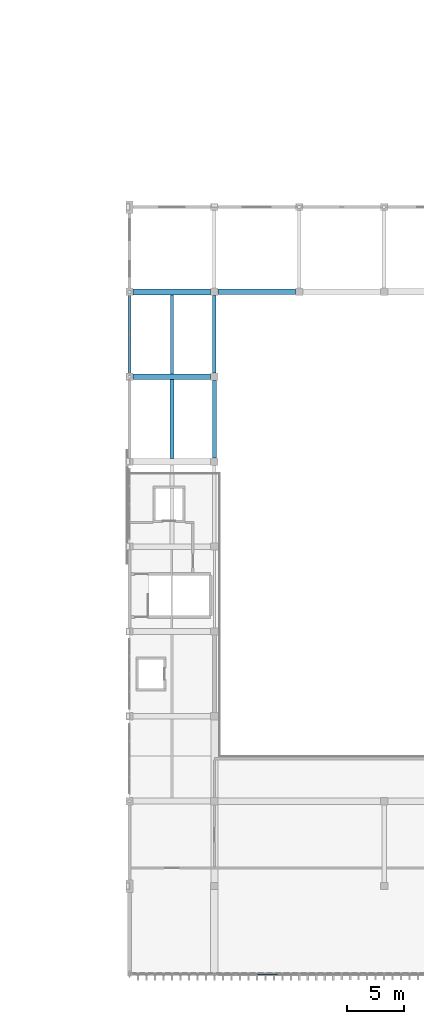
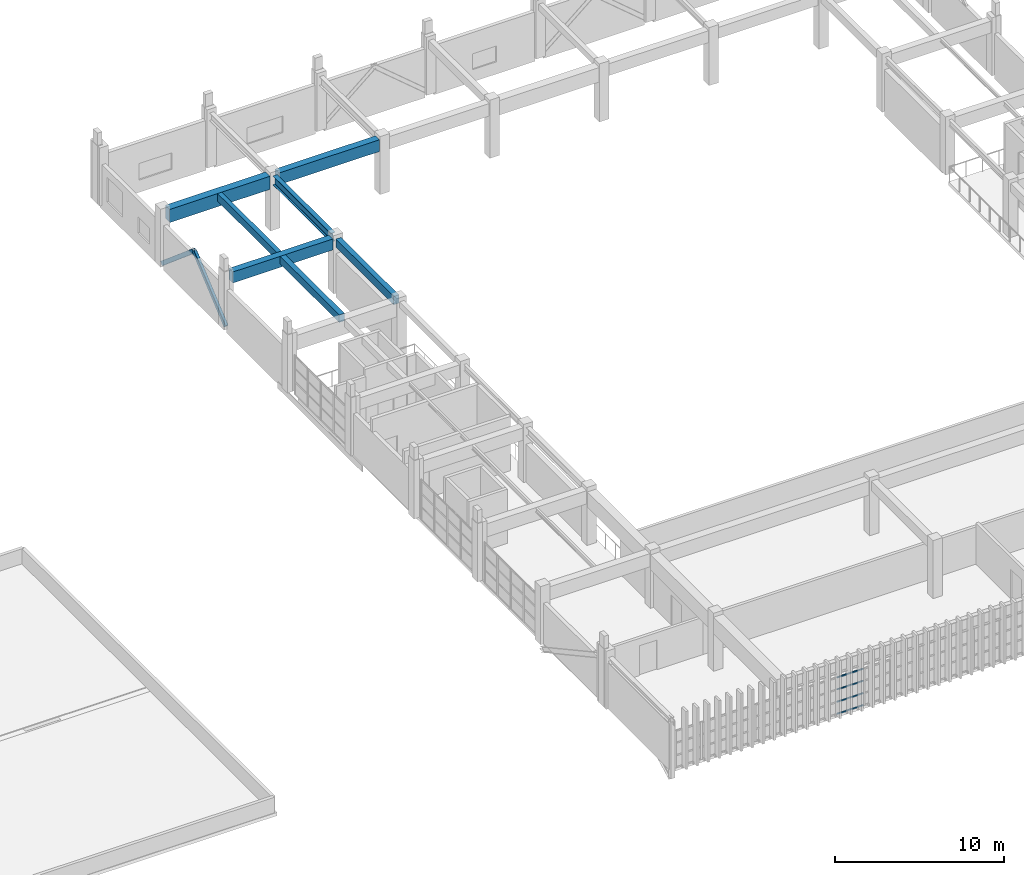
# One storey, part 9 of 51: 7 beams, 6 members, 1 element without a shape of its own.
"""IFC4 building model written with IfcOpenShell, lengths in metres."""

from ifc_helpers import new_model, si_unit, direction, frame, origin, origin_2d, place, context, subcontext, project, spatial, rectangle, hollow_rectangle, i_section, extrude, material, material_profile, profile_set, type_object, element, aggregate, save


model = new_model("IFC4")

# Units and contexts
model_context = context("Model", 3, precision=1e-05, world=origin(), true_north=direction((0.0, 1.0)))
body_context = subcontext(model_context, "Body", "Model", "MODEL_VIEW")
ifc_project = project(units=[si_unit("LENGTHUNIT", "METRE"), si_unit("AREAUNIT", "SQUARE_METRE"), si_unit("VOLUMEUNIT", "CUBIC_METRE"), si_unit("PLANEANGLEUNIT", "RADIAN"), si_unit("MASSUNIT", "GRAM", prefix="KILO")], contexts=[model_context])

# Site, building, storey
site_placement = place(None, origin())
site = spatial("IfcSite", under=ifc_project, at=site_placement, CompositionType="ELEMENT")
building_placement = place(site_placement, origin())
building = spatial("IfcBuilding", under=site, at=building_placement, Name="Qasida Concert Hall", CompositionType="ELEMENT")
storey_placement = place(building_placement, frame((0.0, 0.0, 21.0)))
storey = spatial("IfcBuildingStorey", under=building, at=storey_placement, Name="L05", CompositionType="ELEMENT", Elevation=21.0)

# Beams
ifc_material_1 = material(Name="Steel S355J2", Category="steel")
ifc_material_profile_1 = material_profile(ifc_material_1, i_section(OverallWidth=0.300048828125, OverallDepth=0.64990234375, WebThickness=0.01611328125, FlangeThickness=0.031005859375, FilletRadius=0.027099609375, at=origin_2d()), Name="HEB 650")
ifc_profile_set_1 = profile_set([ifc_material_profile_1], Name="Steel S355J2")
beam_type_1 = type_object("IfcBeamType", Name="BM-B13", PredefinedType="BEAM", material=ifc_profile_set_1)
beam_1_placement = place(storey_placement, frame((60.0, 67.824951171875, 3.594970703125), z_axis=(0.0, 1.0, 0.0), x_axis=(-1.0, 0.0, 0.0)))
element("IfcBeam", 1, at=beam_1_placement, inside=storey, type_object=beam_type_1, Name="L05 girder 2013", PredefinedType="BEAM", context=body_context, shape_type="SweptSolid", body=[
    extrude(i_section(OverallWidth=0.300048828125, OverallDepth=0.64990234375, WebThickness=0.01611328125, FlangeThickness=0.031005859375, FilletRadius=0.027099609375, at=origin_2d()), origin(), (0.0, 0.0, 1.0), 6.85009765625),
])
ifc_material_2 = material(Name="Concrete C40/50", Category="concrete")
ifc_material_profile_2 = material_profile(ifc_material_2, rectangle(XDim=0.35009765625, YDim=0.60009765625, at=origin_2d()), Name="RC 350x600")
ifc_profile_set_2 = profile_set([ifc_material_profile_2], Name="Concrete C40/50")
beam_type_2 = type_object("IfcBeamType", Name="BM-B2", PredefinedType="BEAM", material=ifc_profile_set_2)
beam_2_placement = place(storey_placement, frame((60.0, 60.324951171875, 3.6201171875), z_axis=(0.0, 1.0, 0.0), x_axis=(-1.0, 0.0, 0.0)))
element("IfcBeam", 2, at=beam_2_placement, inside=storey, type_object=beam_type_2, Name="L05 girder 2012", PredefinedType="BEAM", context=body_context, shape_type="SweptSolid", body=[
    extrude(rectangle(XDim=0.35009765625, YDim=0.60009765625, at=origin_2d()), origin(), (0.0, 0.0, 1.0), 6.85009765625),
])
ifc_material_profile_3 = material_profile(ifc_material_2, rectangle(XDim=0.449951171875, YDim=0.800048828125, at=origin_2d()), Name="RC 450x800")
ifc_profile_set_3 = profile_set([ifc_material_profile_3], Name="Concrete C40/50")
beam_type_3 = type_object("IfcBeamType", Name="BM-G2", PredefinedType="USERDEFINED", material=ifc_profile_set_3)
beam_3_placement = place(storey_placement, frame((52.824951171875, 67.5, 3.52001953125), z_axis=(1.0, 0.0, 0.0), x_axis=(0.0, 1.0, 0.0)))
element("IfcBeam", 3, at=beam_3_placement, inside=storey, type_object=beam_type_3, Name="Primary girder 2000", ObjectType="GIRDER", PredefinedType="USERDEFINED", context=body_context, shape_type="SweptSolid", body=[
    extrude(rectangle(XDim=0.449951171875, YDim=0.800048828125, at=origin_2d()), origin(), (0.0, 0.0, 1.0), 6.85009765625),
])
ifc_material_profile_4 = material_profile(ifc_material_2, rectangle(XDim=0.47998046875, YDim=0.85009765625, at=origin_2d()), Name="RC 480x850")
ifc_profile_set_4 = profile_set([ifc_material_profile_4], Name="Concrete C40/50")
beam_type_4 = type_object("IfcBeamType", Name="BM-G6", PredefinedType="USERDEFINED", material=ifc_profile_set_4)
beam_4_placement = place(storey_placement, frame((60.324951171875, 75.0, 3.4951171875), z_axis=(1.0, 0.0, 0.0), x_axis=(0.0, 1.0, 0.0)))
element("IfcBeam", 4, at=beam_4_placement, inside=storey, type_object=beam_type_4, Name="Primary girder 2003", ObjectType="GIRDER", PredefinedType="USERDEFINED", context=body_context, shape_type="SweptSolid", body=[
    extrude(rectangle(XDim=0.47998046875, YDim=0.85009765625, at=origin_2d()), origin(), (0.0, 0.0, 1.0), 6.85009765625),
])
ifc_material_profile_5 = material_profile(ifc_material_2, rectangle(XDim=0.52001953125, YDim=0.949951171875, at=origin_2d()), Name="RC 520x950")
ifc_profile_set_5 = profile_set([ifc_material_profile_5], Name="Concrete C40/50")
beam_type_5 = type_object("IfcBeamType", Name="BM-G7", PredefinedType="USERDEFINED", material=ifc_profile_set_5)
beam_5_placement = place(storey_placement, frame((52.824951171875, 75.0, 3.445068359375), z_axis=(1.0, 0.0, 0.0), x_axis=(0.0, 1.0, 0.0)))
element("IfcBeam", 5, at=beam_5_placement, inside=storey, type_object=beam_type_5, Name="Primary girder 2002", ObjectType="GIRDER", PredefinedType="USERDEFINED", context=body_context, shape_type="SweptSolid", body=[
    extrude(rectangle(XDim=0.52001953125, YDim=0.949951171875, at=origin_2d()), origin(), (0.0, 0.0, 1.0), 6.85009765625),
])
ifc_material_profile_6 = material_profile(ifc_material_2, rectangle(XDim=0.300048828125, YDim=0.550048828125, at=origin_2d()), Name="RC 300x550")
ifc_profile_set_6 = profile_set([ifc_material_profile_6], Name="Concrete C40/50")
beam_type_6 = type_object("IfcBeamType", Name="BM-J1", PredefinedType="JOIST", material=ifc_profile_set_6)
beam_6_placement = place(storey_placement, frame((56.25, 67.72509765625, 3.64501953125), z_axis=(0.0, 1.0, 0.0), x_axis=(-1.0, 0.0, 0.0)))
element("IfcBeam", 6, at=beam_6_placement, inside=storey, type_object=beam_type_6, Name="L05 secondary joist 2032", PredefinedType="JOIST", context=body_context, shape_type="SweptSolid", body=[
    extrude(rectangle(XDim=0.300048828125, YDim=0.550048828125, at=origin_2d()), origin(), (0.0, 0.0, 1.0), 7.014892578125),
])
ifc_material_profile_7 = material_profile(ifc_material_2, rectangle(XDim=0.35009765625, YDim=0.550048828125, at=origin_2d()), Name="RC 350x550")
ifc_profile_set_7 = profile_set([ifc_material_profile_7], Name="Concrete C40/50")
beam_type_7 = type_object("IfcBeamType", Name="BM-J8", PredefinedType="JOIST", material=ifc_profile_set_7)
beam_7_placement = place(storey_placement, frame((56.25, 60.2900390625, 3.64501953125), z_axis=(0.0, 1.0, 0.0), x_axis=(-1.0, 0.0, 0.0)))
element("IfcBeam", 7, at=beam_7_placement, inside=storey, type_object=beam_type_7, Name="L05 secondary joist 2031", PredefinedType="JOIST", context=body_context, shape_type="SweptSolid", body=[
    extrude(rectangle(XDim=0.35009765625, YDim=0.550048828125, at=origin_2d()), origin(), (0.0, 0.0, 1.0), 6.98486328125),
])

# Members
ifc_material_profile_8 = material_profile(ifc_material_1, hollow_rectangle(XDim=0.199951171875, YDim=0.300048828125, WallThickness=0.012451171875, InnerFilletRadius=0.012451171875, OuterFilletRadius=0.02490234375, at=origin_2d()), Name="RHS 300x200x12.5")
ifc_profile_set_8 = profile_set([ifc_material_profile_8], Name="Steel S355J2")
member_type_1 = type_object("IfcMemberType", Name="MB-BR7", PredefinedType="BRACE", material=ifc_profile_set_8)
for number, where, z_axis, x_axis, name in (
    (8, (52.5, 67.5, 0.0), (0.0, 0.763703031539, 0.645567718848), (-1.0, 0.0, 0.0), "L05 chevron brace CBF-0011"),
    (9, (52.5, 75.0, 0.0), (0.0, -0.763703031539, 0.645567718848), (1.0, 0.0, 0.0), "L05 chevron brace CBF-0012"),
):
    element("IfcMember", number, at=place(storey_placement, frame(where, z_axis=z_axis, x_axis=x_axis)), inside=storey, type_object=member_type_1, Name=name, PredefinedType="BRACE", context=body_context, shape_type="SweptSolid", body=[
        extrude(hollow_rectangle(XDim=0.199951171875, YDim=0.300048828125, WallThickness=0.012451171875, InnerFilletRadius=0.012451171875, OuterFilletRadius=0.02490234375, at=origin_2d()), origin(), (0.0, 0.0, 1.0), 4.910400390625),
    ])

# Curtain wall, members
ifc_material_3 = material(Name="Architectural bronze-anodized aluminium and low-E glass", Category="aluminium")
curtain_wall_type = type_object("IfcCurtainWallType", Name="CW-05", PredefinedType="NOTDEFINED", material=ifc_material_3)
curtain_wall_placement = place(storey_placement, origin())
curtain_wall = element("IfcCurtainWall", 10, at=curtain_wall_placement, inside=storey, type_object=curtain_wall_type, Name="L05 curtain wall CW-05 0030", PredefinedType="NOTDEFINED")
ifc_material_4 = material(Name="Architectural bronze-anodized aluminium EN AW-6063", Category="aluminium")
ifc_material_profile_9 = material_profile(ifc_material_4, hollow_rectangle(XDim=0.06005859375, YDim=0.10009765625, WallThickness=0.00341796875, InnerFilletRadius=0.00341796875, OuterFilletRadius=0.007080078125, at=origin_2d()), Name="CWT 100x60x3.5")
ifc_profile_set_9 = profile_set([ifc_material_profile_9], Name="Architectural bronze-anodized aluminium EN AW-6063")
member_type_2 = type_object("IfcMemberType", Name="MB-CWT-3", PredefinedType="USERDEFINED", material=ifc_profile_set_9)
member_1_placement = place(storey_placement, frame((63.780029296875, 14.699951171875, 0.030029296875), z_axis=(1.0, 0.0, 0.0), x_axis=(0.0, 1.0, 0.0)))
member_1 = element("IfcMember", 11, at=member_1_placement, type_object=member_type_2, Name="CW-05 transom 3.1", ObjectType="TRANSOM", PredefinedType="USERDEFINED", context=body_context, shape_type="SweptSolid", body=[
    extrude(hollow_rectangle(XDim=0.06005859375, YDim=0.10009765625, WallThickness=0.00341796875, InnerFilletRadius=0.00341796875, OuterFilletRadius=0.007080078125, at=origin_2d()), origin(), (0.0, 0.0, 1.0), 1.804931640625),
])
member_2_placement = place(storey_placement, frame((63.780029296875, 14.699951171875, 0.896728515625), z_axis=(1.0, 0.0, 0.0), x_axis=(0.0, 1.0, 0.0)))
member_2 = element("IfcMember", 12, at=member_2_placement, type_object=member_type_2, Name="CW-05 transom 3.2", ObjectType="TRANSOM", PredefinedType="USERDEFINED", context=body_context, shape_type="SweptSolid", body=[
    extrude(hollow_rectangle(XDim=0.06005859375, YDim=0.10009765625, WallThickness=0.00341796875, InnerFilletRadius=0.00341796875, OuterFilletRadius=0.007080078125, at=origin_2d()), origin(), (0.0, 0.0, 1.0), 1.804931640625),
])
member_3_placement = place(storey_placement, frame((63.780029296875, 14.699951171875, 1.793212890625), z_axis=(1.0, 0.0, 0.0), x_axis=(0.0, 1.0, 0.0)))
member_3 = element("IfcMember", 13, at=member_3_placement, type_object=member_type_2, Name="CW-05 transom 3.3", ObjectType="TRANSOM", PredefinedType="USERDEFINED", context=body_context, shape_type="SweptSolid", body=[
    extrude(hollow_rectangle(XDim=0.06005859375, YDim=0.10009765625, WallThickness=0.00341796875, InnerFilletRadius=0.00341796875, OuterFilletRadius=0.007080078125, at=origin_2d()), origin(), (0.0, 0.0, 1.0), 1.804931640625),
])
member_4_placement = place(storey_placement, frame((63.780029296875, 14.699951171875, 2.659912109375), z_axis=(1.0, 0.0, 0.0), x_axis=(0.0, 1.0, 0.0)))
member_4 = element("IfcMember", 14, at=member_4_placement, type_object=member_type_2, Name="CW-05 transom 3.4", ObjectType="TRANSOM", PredefinedType="USERDEFINED", context=body_context, shape_type="SweptSolid", body=[
    extrude(hollow_rectangle(XDim=0.06005859375, YDim=0.10009765625, WallThickness=0.00341796875, InnerFilletRadius=0.00341796875, OuterFilletRadius=0.007080078125, at=origin_2d()), origin(), (0.0, 0.0, 1.0), 1.804931640625),
])
aggregate(curtain_wall, [member_1, member_2, member_3, member_4])

save(model, "model.ifc")
